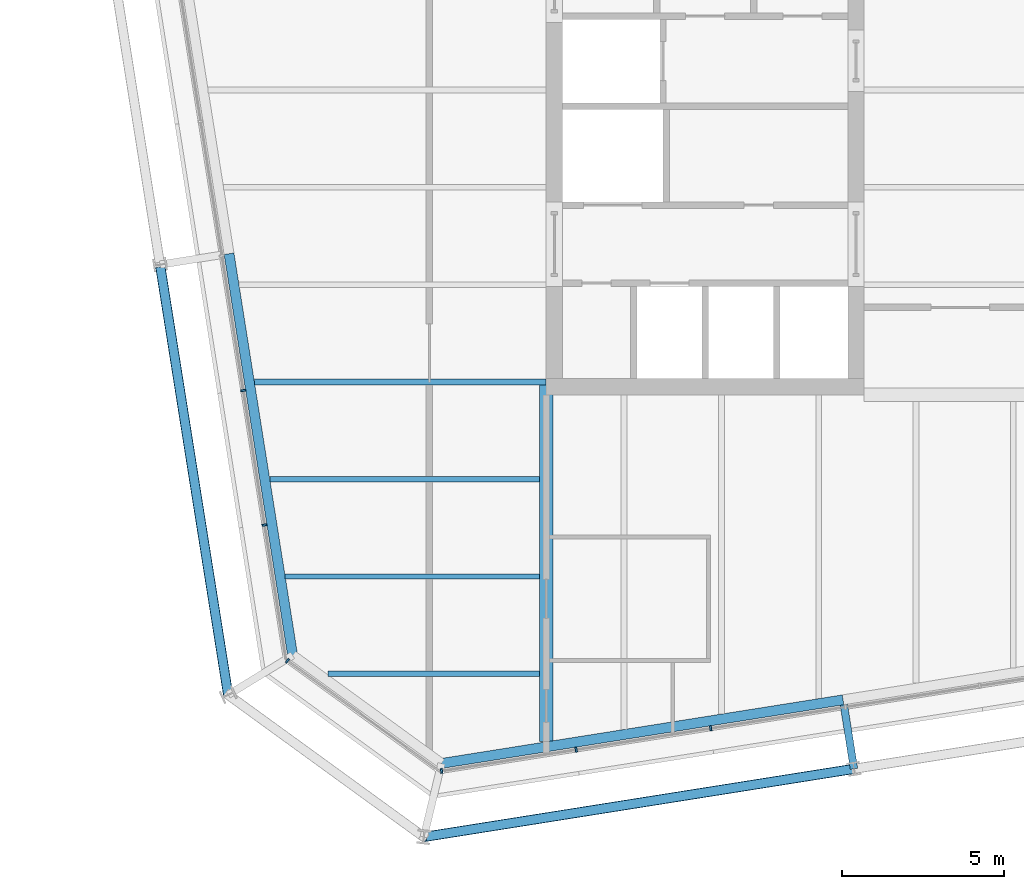
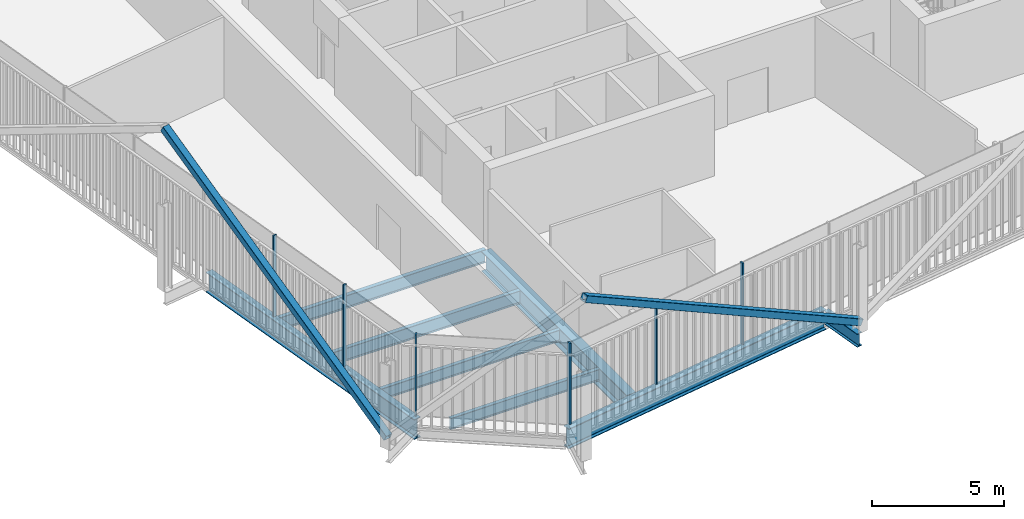
# One storey, part 2 of 21: 8 beams, 8 members, 3 elements without a shape of their own.
"""IFC4 building model written with IfcOpenShell, lengths in metres."""

from ifc_helpers import new_model, si_unit, direction, frame, origin, origin_2d, place, context, subcontext, project, spatial, rectangle, hollow_rectangle, i_section, extrude, material, layer, layer_set, material_profile, profile_set, type_object, element, aggregate, save


model = new_model("IFC4")

# Units and contexts
model_context = context("Model", 3, precision=1e-05, world=origin(), true_north=direction((0.0, 1.0)))
body_context = subcontext(model_context, "Body", "Model", "MODEL_VIEW")
ifc_project = project(units=[si_unit("LENGTHUNIT", "METRE"), si_unit("AREAUNIT", "SQUARE_METRE"), si_unit("VOLUMEUNIT", "CUBIC_METRE"), si_unit("PLANEANGLEUNIT", "RADIAN"), si_unit("MASSUNIT", "GRAM", prefix="KILO")], contexts=[model_context])

# Site, building, storey
site_placement = place(None, origin())
site = spatial("IfcSite", under=ifc_project, at=site_placement, CompositionType="ELEMENT")
building_placement = place(site_placement, origin())
building = spatial("IfcBuilding", under=site, at=building_placement, Name="Millrace Tower", CompositionType="ELEMENT")
storey_placement = place(building_placement, frame((0.0, 0.0, 220.300048828125)))
storey = spatial("IfcBuildingStorey", under=building, at=storey_placement, Name="L50", CompositionType="ELEMENT", Elevation=220.300048828125)

# Curtain wall, member
ifc_material_1 = material(Name="Aluminium and glass", Category="aluminium")
ifc_layer = layer(ifc_material_1, 0.14990234375)
ifc_layer_set = layer_set([ifc_layer], Name="Aluminium and glass")
curtain_wall_type = type_object("IfcCurtainWallType", Name="CW-1 office vision curtain wall", PredefinedType="NOTDEFINED", material=ifc_layer_set)
placement = place(storey_placement, origin())
curtain_wall_1 = element("IfcCurtainWall", 1, at=placement, inside=storey, type_object=curtain_wall_type, Name="Curtain wall D-F01 L50", PredefinedType="NOTDEFINED")
ifc_material_2 = material(Name="Aluminium", Category="aluminium")
ifc_material_profile_1 = material_profile(ifc_material_2, rectangle(XDim=0.06494140625, YDim=0.14990234375, at=origin_2d()))
ifc_profile_set_1 = profile_set([ifc_material_profile_1], Name="Aluminium")
member_type_1 = type_object("IfcMemberType", Name="CW-1 office vision curtain wall mullion", PredefinedType="MULLION", material=ifc_profile_set_1)
member_1_placement = place(storey_placement, frame((-22.3779296875, -17.594970703125, 0.139892578125), z_axis=(0.0, 0.0, 1.0), x_axis=(0.809016955361, -0.587785305991, 0.0)))
member_1 = element("IfcMember", 2, at=member_1_placement, type_object=member_type_1, Name="CW1 mullion D-F01.1", PredefinedType="MULLION", context=body_context, shape_type="SweptSolid", body=[
    extrude(rectangle(XDim=0.06494140625, YDim=0.14990234375, at=origin_2d()), origin(), (0.0, 0.0, 1.0), 3.760009765625),
])
aggregate(curtain_wall_1, [member_1])

# Curtain wall, members
curtain_wall_2 = element("IfcCurtainWall", 3, at=placement, inside=storey, type_object=curtain_wall_type, Name="Curtain wall D-F02 L50", PredefinedType="NOTDEFINED")
member_2_placement = place(storey_placement, frame((-17.62548828125, -20.992431640625, 0.139892578125), z_axis=(0.0, 0.0, 1.0), x_axis=(0.987688339511, 0.156434471884, 0.0)))
member_2 = element("IfcMember", 4, at=member_2_placement, type_object=member_type_1, Name="CW1 mullion D-F02.1", PredefinedType="MULLION", context=body_context, shape_type="SweptSolid", body=[
    extrude(rectangle(XDim=0.06494140625, YDim=0.14990234375, at=origin_2d()), origin(), (0.0, 0.0, 1.0), 3.760009765625),
])
member_3_placement = place(storey_placement, frame((-13.477294921875, -20.33544921875, 0.139892578125), z_axis=(0.0, 0.0, 1.0), x_axis=(0.987688339511, 0.156434471884, 0.0)))
member_3 = element("IfcMember", 5, at=member_3_placement, type_object=member_type_1, Name="CW1 mullion D-F02.2", PredefinedType="MULLION", context=body_context, shape_type="SweptSolid", body=[
    extrude(rectangle(XDim=0.06494140625, YDim=0.14990234375, at=origin_2d()), origin(), (0.0, 0.0, 1.0), 3.760009765625),
])
member_4_placement = place(storey_placement, frame((-9.328857421875, -19.678466796875, 0.139892578125), z_axis=(0.0, 0.0, 1.0), x_axis=(0.987688339511, 0.156434471884, 0.0)))
member_4 = element("IfcMember", 6, at=member_4_placement, type_object=member_type_1, Name="CW1 mullion D-F02.3", PredefinedType="MULLION", context=body_context, shape_type="SweptSolid", body=[
    extrude(rectangle(XDim=0.06494140625, YDim=0.14990234375, at=origin_2d()), origin(), (0.0, 0.0, 1.0), 3.760009765625),
])
aggregate(curtain_wall_2, [member_2, member_3, member_4])

curtain_wall_3 = element("IfcCurtainWall", 7, at=placement, inside=storey, type_object=curtain_wall_type, Name="Curtain wall D-F08 L50", PredefinedType="NOTDEFINED")
member_5_placement = place(storey_placement, frame((-23.7431640625, -9.262451171875, 0.139892578125), z_axis=(0.0, 0.0, 1.0), x_axis=(0.156434471884, -0.987688339511, 0.0)))
member_5 = element("IfcMember", 8, at=member_5_placement, type_object=member_type_1, Name="CW1 mullion D-F08.8", PredefinedType="MULLION", context=body_context, shape_type="SweptSolid", body=[
    extrude(rectangle(XDim=0.06494140625, YDim=0.14990234375, at=origin_2d()), origin(), (0.0, 0.0, 1.0), 3.760009765625),
])
member_6_placement = place(storey_placement, frame((-23.086181640625, -13.410888671875, 0.139892578125), z_axis=(0.0, 0.0, 1.0), x_axis=(0.156434471884, -0.987688339511, 0.0)))
member_6 = element("IfcMember", 9, at=member_6_placement, type_object=member_type_1, Name="CW1 mullion D-F08.9", PredefinedType="MULLION", context=body_context, shape_type="SweptSolid", body=[
    extrude(rectangle(XDim=0.06494140625, YDim=0.14990234375, at=origin_2d()), origin(), (0.0, 0.0, 1.0), 3.760009765625),
])
aggregate(curtain_wall_3, [member_5, member_6])

# Members
ifc_material_3 = material(Name="Steel ASTM A500 Grade C", Category="steel")
ifc_material_profile_2 = material_profile(ifc_material_3, hollow_rectangle(XDim=0.3046875, YDim=0.3046875, WallThickness=0.0126953125, InnerFilletRadius=0.00634765625, OuterFilletRadius=0.01904296875, at=origin_2d()))
ifc_profile_set_2 = profile_set([ifc_material_profile_2], Name="Steel ASTM A500 Grade C")
member_type_2 = type_object("IfcMemberType", Name="Exoskeleton brace HSS12x12x1/2", PredefinedType="BRACE", material=ifc_profile_set_2)
member_7_placement = place(storey_placement, frame((-4.91162109375, -20.927734375, 0.39990234375), z_axis=(-0.875831763156, -0.138714339442, 0.462252154868), x_axis=(0.156430301989, -0.987688999949, 0.0)))
element("IfcMember", 10, at=member_7_placement, inside=storey, type_object=member_type_2, Name="BRC-D-L50-02", PredefinedType="BRACE", context=body_context, shape_type="SweptSolid", body=[
    extrude(hollow_rectangle(XDim=0.3046875, YDim=0.3046875, WallThickness=0.0126953125, InnerFilletRadius=0.00634765625, OuterFilletRadius=0.01904296875, at=origin_2d()), origin(), (0.0, 0.0, 1.0), 15.143310546875),
])
member_8_placement = place(storey_placement, frame((-24.2060546875, -18.646484375, 0.39990234375), z_axis=(-0.138712380788, 0.87583551821, 0.462245627841), x_axis=(-0.987689444837, -0.156427492975, 0.0)))
element("IfcMember", 11, at=member_8_placement, inside=storey, type_object=member_type_2, Name="BRC-D-L50-16", PredefinedType="BRACE", context=body_context, shape_type="SweptSolid", body=[
    extrude(hollow_rectangle(XDim=0.3046875, YDim=0.3046875, WallThickness=0.0126953125, InnerFilletRadius=0.00634765625, OuterFilletRadius=0.01904296875, at=origin_2d()), origin(), (0.0, 0.0, 1.0), 15.1435546875),
])

# Beams
ifc_material_4 = material(Name="Steel ASTM A992 Grade 50", Category="steel")
ifc_material_profile_3 = material_profile(ifc_material_4, i_section(OverallWidth=0.1650390625, OverallDepth=0.52587890625, WebThickness=0.0087890625, FlangeThickness=0.011474609375, FilletRadius=0.0126953125, at=origin_2d()))
ifc_profile_set_3 = profile_set([ifc_material_profile_3], Name="Steel ASTM A992 Grade 50")
beam_type_1 = type_object("IfcBeamType", Name="Floor beam W21x44", PredefinedType="JOIST", material=ifc_profile_set_3)
beam_1_placement = place(storey_placement, frame((-22.447509765625, -15.0, -0.4228515625), z_axis=(1.0, 0.0, 0.0), x_axis=(0.0, 1.0, 0.0)))
element("IfcBeam", 12, at=beam_1_placement, inside=storey, type_object=beam_type_1, Name="BM-D-L50-S1-S002", PredefinedType="JOIST", context=body_context, shape_type="SweptSolid", body=[
    extrude(i_section(OverallWidth=0.1650390625, OverallDepth=0.52587890625, WebThickness=0.0087890625, FlangeThickness=0.011474609375, FilletRadius=0.0126953125, at=origin_2d()), origin(), (0.0, 0.0, 1.0), 7.837890625),
])
beam_2_placement = place(storey_placement, frame((-21.13427734375, -18.0, -0.4228515625), z_axis=(1.0, 0.0, 0.0), x_axis=(0.0, 1.0, 0.0)))
element("IfcBeam", 13, at=beam_2_placement, inside=storey, type_object=beam_type_1, Name="BM-D-L50-S1-S001", PredefinedType="JOIST", context=body_context, shape_type="SweptSolid", body=[
    extrude(i_section(OverallWidth=0.1650390625, OverallDepth=0.52587890625, WebThickness=0.0087890625, FlangeThickness=0.011474609375, FilletRadius=0.0126953125, at=origin_2d()), origin(), (0.0, 0.0, 1.0), 6.524658203125),
])
ifc_material_5 = material(Name="Steel ASTM A992 Grade 50", Category="steel")
ifc_material_profile_4 = material_profile(ifc_material_5, i_section(OverallWidth=0.177978515625, OverallDepth=0.599365234375, WebThickness=0.010009765625, FlangeThickness=0.012939453125, FilletRadius=0.012939453125, at=origin_2d()))
ifc_profile_set_4 = profile_set([ifc_material_profile_4], Name="Steel ASTM A992 Grade 50")
beam_type_2 = type_object("IfcBeamType", Name="Floor beam W24x55", PredefinedType="JOIST", material=ifc_profile_set_4)
beam_3_placement = place(storey_placement, frame((-22.922607421875, -12.0, -0.459716796875), z_axis=(1.0, 0.0, 0.0), x_axis=(0.0, 1.0, 0.0)))
element("IfcBeam", 14, at=beam_3_placement, inside=storey, type_object=beam_type_2, Name="BM-D-L50-S1-S004", PredefinedType="JOIST", context=body_context, shape_type="SweptSolid", body=[
    extrude(i_section(OverallWidth=0.177978515625, OverallDepth=0.599365234375, WebThickness=0.010009765625, FlangeThickness=0.012939453125, FilletRadius=0.012939453125, at=origin_2d()), origin(), (0.0, 0.0, 1.0), 8.31298828125),
])
beam_4_placement = place(storey_placement, frame((-23.397705078125, -9.0, -0.459716796875), z_axis=(1.0, 0.0, 0.0), x_axis=(0.0, 1.0, 0.0)))
element("IfcBeam", 15, at=beam_4_placement, inside=storey, type_object=beam_type_2, Name="BM-D-L50-S1-S006", PredefinedType="JOIST", context=body_context, shape_type="SweptSolid", body=[
    extrude(i_section(OverallWidth=0.177978515625, OverallDepth=0.599365234375, WebThickness=0.010009765625, FlangeThickness=0.012939453125, FilletRadius=0.012939453125, at=origin_2d()), origin(), (0.0, 0.0, 1.0), 8.997802734375),
])
ifc_material_6 = material(Name="Steel ASTM A992 Grade 50", Category="steel")
ifc_material_profile_5 = material_profile(ifc_material_6, i_section(OverallWidth=0.419189453125, OverallDepth=0.927001953125, WebThickness=0.019287109375, FlangeThickness=0.031982421875, FilletRadius=0.024169921875, at=origin_2d()))
ifc_profile_set_5 = profile_set([ifc_material_profile_5], Name="Steel ASTM A992 Grade 50")
beam_type_3 = type_object("IfcBeamType", Name="Girder short span W36x231", PredefinedType="BEAM", material=ifc_profile_set_5)
beam_5_placement = place(storey_placement, frame((-14.39990234375, -20.08642578125, -0.62353515625), z_axis=(0.0, 1.0, 0.0), x_axis=(-1.0, 0.0, 0.0)))
element("IfcBeam", 16, at=beam_5_placement, inside=storey, type_object=beam_type_3, Name="BM-D-L50-S1-G055", PredefinedType="BEAM", context=body_context, shape_type="SweptSolid", body=[
    extrude(i_section(OverallWidth=0.419189453125, OverallDepth=0.927001953125, WebThickness=0.019287109375, FlangeThickness=0.031982421875, FilletRadius=0.024169921875, at=origin_2d()), origin(), (0.0, 0.0, 1.0), 10.994384765625),
])
ifc_material_7 = material(Name="Steel ASTM A992 Grade 50", Category="steel")
ifc_material_profile_6 = material_profile(ifc_material_7, i_section(OverallWidth=0.23046875, OverallDepth=0.6171875, WebThickness=0.01318359375, FlangeThickness=0.022216796875, FilletRadius=0.012939453125, at=origin_2d()))
ifc_profile_set_6 = profile_set([ifc_material_profile_6], Name="Steel ASTM A992 Grade 50")
beam_type_4 = type_object("IfcBeamType", Name="Link beam W24x94", PredefinedType="BEAM", material=ifc_profile_set_6)
beam_6_placement = place(storey_placement, frame((-5.224365234375, -18.952392578125, -0.46875), z_axis=(0.15637629034, -0.987697552806, 0.0), x_axis=(0.987697552806, 0.15637629034, 0.0)))
element("IfcBeam", 17, at=beam_6_placement, inside=storey, type_object=beam_type_4, Name="LNK-D-L50-S1-15", PredefinedType="BEAM", context=body_context, shape_type="SweptSolid", body=[
    extrude(i_section(OverallWidth=0.23046875, OverallDepth=0.6171875, WebThickness=0.01318359375, FlangeThickness=0.022216796875, FilletRadius=0.012939453125, at=origin_2d()), origin(), (0.0, 0.0, 1.0), 2.0),
])
ifc_material_8 = material(Name="Steel ASTM A992 Grade 50", Category="steel")
ifc_material_profile_7 = material_profile(ifc_material_8, i_section(OverallWidth=0.307373046875, OverallDepth=0.927001953125, WebThickness=0.01953125, FlangeThickness=0.031982421875, FilletRadius=0.01904296875, at=origin_2d()))
ifc_profile_set_7 = profile_set([ifc_material_profile_7], Name="Steel ASTM A992 Grade 50")
beam_type_5 = type_object("IfcBeamType", Name="Ring beam medium span W36x194", PredefinedType="SPANDREL", material=ifc_profile_set_7)
beam_7_placement = place(storey_placement, frame((-22.218505859375, -17.428466796875, -0.62353515625), z_axis=(-0.156419577072, 0.987690698503, 0.0), x_axis=(-0.987690698503, -0.156419577072, 0.0)))
element("IfcBeam", 18, at=beam_7_placement, inside=storey, type_object=beam_type_5, Name="RNG-D-L50-S1-01", PredefinedType="SPANDREL", context=body_context, shape_type="SweptSolid", body=[
    extrude(i_section(OverallWidth=0.307373046875, OverallDepth=0.927001953125, WebThickness=0.01953125, FlangeThickness=0.031982421875, FilletRadius=0.01904296875, at=origin_2d()), origin(), (0.0, 0.0, 1.0), 12.536376953125),
])
beam_8_placement = place(storey_placement, frame((-5.24853515625, -18.800537109375, -0.62353515625), z_axis=(-0.987687213011, -0.156441584157, 0.0), x_axis=(0.156441584157, -0.987687213011, 0.0)))
element("IfcBeam", 19, at=beam_8_placement, inside=storey, type_object=beam_type_5, Name="RNG-D-L50-S1-15", PredefinedType="SPANDREL", context=body_context, shape_type="SweptSolid", body=[
    extrude(i_section(OverallWidth=0.307373046875, OverallDepth=0.927001953125, WebThickness=0.01953125, FlangeThickness=0.031982421875, FilletRadius=0.01904296875, at=origin_2d()), origin(), (0.0, 0.0, 1.0), 12.5361328125),
])

save(model, "model.ifc")
